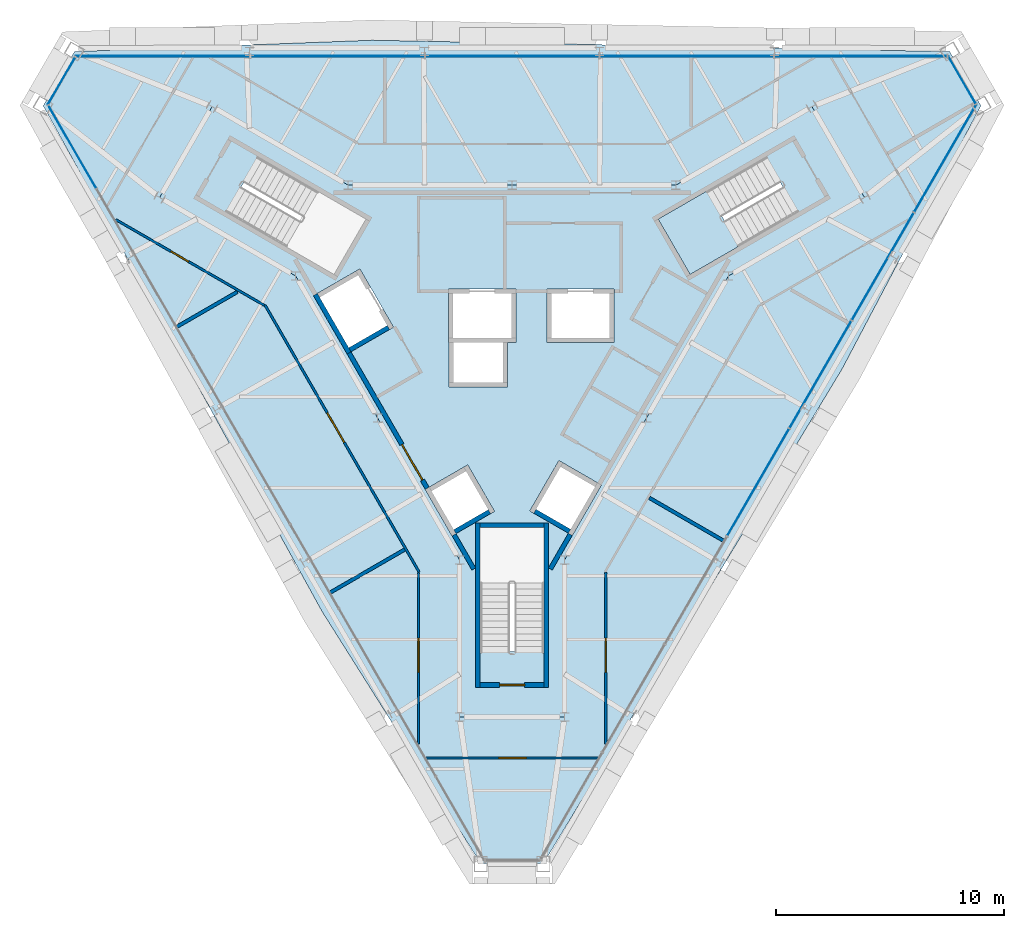
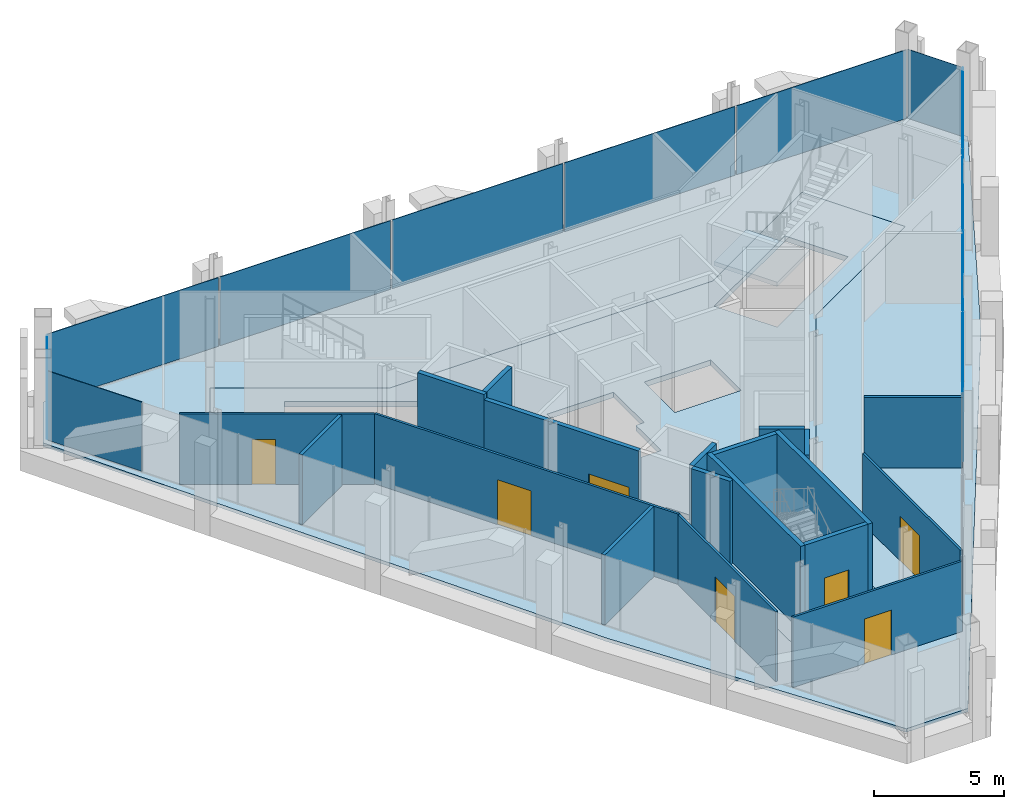
# One storey, part 9 of 13: 19 walls, 12 plates, 7 doors, 3 slabs, 7 openings, 6 elements without a shape of their own.
"""IFC4 building model written with IfcOpenShell, lengths in metres."""

from ifc_helpers import new_model, si_unit, direction, frame, frame_2d, origin, origin_2d, place, context, subcontext, project, spatial, polyline, rectangle, outline, extrude, material, layer, layer_set, type_object, element, fill, aggregate, save


model = new_model("IFC4")

# Units and contexts
model_context = context("Model", 3, precision=1e-05, world=origin(), true_north=direction((0.0, 1.0)))
body_context = subcontext(model_context, "Body", "Model", "MODEL_VIEW")
ifc_project = project(units=[si_unit("LENGTHUNIT", "METRE"), si_unit("AREAUNIT", "SQUARE_METRE"), si_unit("VOLUMEUNIT", "CUBIC_METRE"), si_unit("PLANEANGLEUNIT", "RADIAN"), si_unit("MASSUNIT", "GRAM", prefix="KILO")], contexts=[model_context])

# Site, building, storey
site_placement = place(None, origin())
site = spatial("IfcSite", under=ifc_project, at=site_placement, CompositionType="ELEMENT")
building_placement = place(site_placement, origin())
building = spatial("IfcBuilding", under=site, at=building_placement, Name="Verrane Prism Tower", CompositionType="ELEMENT")
storey_placement = place(building_placement, frame((0.0, 0.0, 308.39990234375)))
storey = spatial("IfcBuildingStorey", under=building, at=storey_placement, Name="L78", CompositionType="ELEMENT", Elevation=308.39990234375)

# Slabs
ifc_material_1 = material(Name="Concrete C35/45", Category="concrete")
ifc_layer_1 = layer(ifc_material_1, 0.159912109375)
ifc_layer_set_1 = layer_set([ifc_layer_1], Name="Composite floor slab")
slab_type_1 = type_object("IfcSlabType", Name="Composite floor slab", PredefinedType="FLOOR", material=ifc_layer_set_1)
slab_1_placement = place(storey_placement, frame((0.0, 0.0, -0.159912109375)))
element("IfcSlab", 1, at=slab_1_placement, inside=storey, type_object=slab_type_1, Name="Floor slab L78", PredefinedType="FLOOR", context=body_context, shape_type="SweptSolid", body=[
    extrude(outline(polyline([(14.455810546875, -1.26171875), (1.368896484375, -22.9287109375), (-1.368896484375, -22.9287109375), (-8.320556640625, -11.88818359375), (-20.54150390625, 10.27880859375), (-19.17236328125, 12.64990234375), (-6.13525390625, 13.14990234375), (19.17236328125, 12.64990234375), (20.54150390625, 10.27880859375), (14.455810546875, -1.26171875)]), holes=[polyline([(15.43994140625, 6.260009765625), (13.139892578125, 10.239990234375), (7.179931640625, 6.800048828125), (0.0, 6.800048828125), (-7.179931640625, 6.800048828125), (-13.139892578125, 10.239990234375), (-15.43994140625, 6.260009765625), (-9.47998046875, 2.820068359375), (-5.889892578125, -3.39990234375), (-2.300048828125, -9.6201171875), (-2.300048828125, -16.5), (2.300048828125, -16.5), (2.300048828125, -9.6201171875), (5.889892578125, -3.39990234375), (9.47998046875, 2.820068359375), (15.43994140625, 6.260009765625)])]), origin(), (0.0, 0.0, 1.0), 0.159912109375),
])
ifc_material_2 = material(Name="Concrete C40/50", Category="concrete")
ifc_layer_2 = layer(ifc_material_2, 0.25)
ifc_layer_set_2 = layer_set([ifc_layer_2], Name="Core floor slab 250 concrete C40/50")
slab_type_2 = type_object("IfcSlabType", Name="Core floor slab 250 concrete C40/50", PredefinedType="FLOOR", material=ifc_layer_set_2)
slab_2_placement = place(storey_placement, frame((0.0, 0.0, -0.25)))
element("IfcSlab", 2, at=slab_2_placement, inside=storey, type_object=slab_type_2, Name="Core floor L78", PredefinedType="FLOOR", context=body_context, shape_type="SweptSolid", body=[
    extrude(outline(polyline([(9.47998046875, 2.820068359375), (15.43994140625, 6.260009765625), (13.139892578125, 10.239990234375), (7.179931640625, 6.800048828125), (0.0, 6.800048828125), (-7.179931640625, 6.800048828125), (-13.139892578125, 10.239990234375), (-15.43994140625, 6.260009765625), (-9.47998046875, 2.820068359375), (-5.889892578125, -3.39990234375), (-2.300048828125, -9.6201171875), (-2.300048828125, -16.5), (2.300048828125, -16.5), (2.300048828125, -9.6201171875), (5.889892578125, -3.39990234375), (9.47998046875, 2.820068359375)]), holes=[polyline([(-1.39990234375, -8.199951171875), (1.39990234375, -8.199951171875), (1.39990234375, -13.639892578125), (-1.39990234375, -13.639892578125), (-1.39990234375, -8.199951171875)]), polyline([(-0.76708984375, -7.491943359375), (-2.62890625, -8.56689453125), (-3.803955078125, -6.531982421875), (-1.94189453125, -5.45703125), (-0.76708984375, -7.491943359375)]), polyline([(3.9140625, -6.341064453125), (2.638916015625, -8.550048828125), (0.777099609375, -7.47509765625), (2.052001953125, -5.26611328125), (3.9140625, -6.341064453125)]), polyline([(-2.784912109375, -0.10009765625), (-2.784912109375, 2.25), (0.1650390625, 2.25), (0.1650390625, -0.10009765625), (-0.205078125, -0.10009765625), (-0.205078125, -2.050048828125), (-2.7548828125, -2.050048828125), (-2.7548828125, -0.10009765625), (-2.784912109375, -0.10009765625)]), polyline([(4.47509765625, 2.25), (4.47509765625, -0.10009765625), (1.52490234375, -0.10009765625), (1.52490234375, 2.25), (4.47509765625, 2.25)]), polyline([(-8.7041015625, 1.955078125), (-6.66796875, 3.1298828125), (-5.193115234375, 0.574951171875), (-7.22900390625, -0.60009765625), (-8.7041015625, 1.955078125)]), polyline([(-6.40087890625, 5.31201171875), (-7.801025390625, 2.887939453125), (-12.512939453125, 5.60791015625), (-11.113037109375, 8.031982421875), (-6.40087890625, 5.31201171875)]), polyline([(7.801025390625, 2.887939453125), (6.40087890625, 5.31201171875), (11.113037109375, 8.031982421875), (12.512939453125, 5.60791015625), (7.801025390625, 2.887939453125)])]), origin(), (0.0, 0.0, 1.0), 0.25),
])

# Curtain wall, plate
ifc_material_3 = material(Name="Aluminium framed insulated glazing", Category="aluminium")
curtain_wall_type_1 = type_object("IfcCurtainWallType", Name="Curtain wall CW-C 4200 module", PredefinedType="NOTDEFINED", material=ifc_material_3)
curtain_wall_1_placement = place(storey_placement, origin())
curtain_wall_1 = element("IfcCurtainWall", 3, at=curtain_wall_1_placement, inside=storey, type_object=curtain_wall_type_1, Name="Glazed curtain wall north-east corner L78", PredefinedType="NOTDEFINED")
ifc_material_4 = material(Name="Low-iron insulating glass unit", Category="glass")
ifc_layer_3 = layer(ifc_material_4, 0.02392578125)
ifc_layer_set_3 = layer_set([ifc_layer_3], Name="Glazing panel IGU 24")
plate_type_1 = type_object("IfcPlateType", Name="Glazing panel IGU 24", PredefinedType="CURTAIN_PANEL", material=ifc_layer_set_3)
plate_1_placement = place(storey_placement, frame((19.712890625, 11.41015625, 0.050048828125), z_axis=(0.0, 0.0, 1.0), x_axis=(-0.500000941634, 0.866024860131, 0.0)))
plate_1 = element("IfcPlate", 4, at=plate_1_placement, type_object=plate_type_1, Name="CW78.1 panel 1", PredefinedType="CURTAIN_PANEL", context=body_context, shape_type="SweptSolid", body=[
    extrude(rectangle(XDim=2.395263671875, YDim=0.02392578125, at=origin_2d()), origin(), (0.0, 0.0, 1.0), 3.24658203125),
])
aggregate(curtain_wall_1, [plate_1])

curtain_wall_2_placement = place(storey_placement, origin())
curtain_wall_2 = element("IfcCurtainWall", 5, at=curtain_wall_2_placement, inside=storey, type_object=curtain_wall_type_1, Name="Glazed curtain wall south-west face L78", PredefinedType="NOTDEFINED")
plate_2_placement = place(storey_placement, frame((-19.2685546875, 8.4794921875, 0.050048828125), z_axis=(0.0, 0.0, 1.0), x_axis=(0.500000216749, -0.866025278644, 0.0)))
plate_2 = element("IfcPlate", 6, at=plate_2_placement, type_object=plate_type_1, Name="CW78.4 panel 1", PredefinedType="CURTAIN_PANEL", context=body_context, shape_type="SweptSolid", body=[
    extrude(rectangle(XDim=4.172607421875, YDim=0.02392578125, at=origin_2d()), origin(), (0.0, 0.0, 1.0), 3.24658203125),
])
aggregate(curtain_wall_2, [plate_2])

ifc_material_5 = material(Name="Aluminium framed insulated glazing", Category="aluminium")
curtain_wall_type_2 = type_object("IfcCurtainWallType", Name="Curtain wall CW-B 5600 module", PredefinedType="NOTDEFINED", material=ifc_material_5)
curtain_wall_3_placement = place(storey_placement, origin())
curtain_wall_3 = element("IfcCurtainWall", 7, at=curtain_wall_3_placement, inside=storey, type_object=curtain_wall_type_2, Name="Glazed curtain wall north-west corner L78", PredefinedType="NOTDEFINED")
ifc_material_6 = material(Name="Low-iron insulating glass unit", Category="glass")
ifc_layer_4 = layer(ifc_material_6, 0.028076171875)
ifc_layer_set_4 = layer_set([ifc_layer_4], Name="Glazing panel IGU 28")
plate_type_2 = type_object("IfcPlateType", Name="Glazing panel IGU 28", PredefinedType="CURTAIN_PANEL", material=ifc_layer_set_4)
plate_3_placement = place(storey_placement, frame((-19.740234375, 11.3623046875, 0.06005859375), z_axis=(0.0, 0.0, 1.0), x_axis=(-0.500000941634, -0.866024860131, 0.0)))
plate_3 = element("IfcPlate", 8, at=plate_3_placement, type_object=plate_type_2, Name="CW78.3 panel 1", PredefinedType="CURTAIN_PANEL", context=body_context, shape_type="SweptSolid", body=[
    extrude(rectangle(XDim=2.38525390625, YDim=0.028076171875, at=origin_2d()), origin(), (0.0, 0.0, 1.0), 3.23681640625),
])
aggregate(curtain_wall_3, [plate_3])

# Curtain wall, plates
curtain_wall_4_placement = place(storey_placement, origin())
curtain_wall_4 = element("IfcCurtainWall", 9, at=curtain_wall_4_placement, inside=storey, type_object=curtain_wall_type_2, Name="Glazed curtain wall south-east face L78", PredefinedType="NOTDEFINED")
plate_4_placement = place(storey_placement, frame((10.779541015625, -6.2236328125, 0.06005859375), z_axis=(0.0, 0.0, 1.0), x_axis=(0.500000216749, 0.866025278644, 0.0)))
plate_4 = element("IfcPlate", 10, at=plate_4_placement, type_object=plate_type_2, Name="CW78.6 panel 4", PredefinedType="CURTAIN_PANEL", context=body_context, shape_type="SweptSolid", body=[
    extrude(rectangle(XDim=5.401123046875, YDim=0.028076171875, at=origin_2d()), origin(), (0.0, 0.0, 1.0), 3.23681640625),
])
plate_5_placement = place(storey_placement, frame((13.51025390625, -1.494140625, 0.06005859375), z_axis=(0.0, 0.0, 1.0), x_axis=(0.500000216749, 0.866025278644, 0.0)))
plate_5 = element("IfcPlate", 11, at=plate_5_placement, type_object=plate_type_2, Name="CW78.6 panel 5", PredefinedType="CURTAIN_PANEL", context=body_context, shape_type="SweptSolid", body=[
    extrude(rectangle(XDim=5.401123046875, YDim=0.028076171875, at=origin_2d()), origin(), (0.0, 0.0, 1.0), 3.23681640625),
])
plate_6_placement = place(storey_placement, frame((16.24072265625, 3.2353515625, 0.06005859375), z_axis=(0.0, 0.0, 1.0), x_axis=(0.500000216749, 0.866025278644, 0.0)))
plate_6 = element("IfcPlate", 12, at=plate_6_placement, type_object=plate_type_2, Name="CW78.6 panel 6", PredefinedType="CURTAIN_PANEL", context=body_context, shape_type="SweptSolid", body=[
    extrude(rectangle(XDim=5.401123046875, YDim=0.028076171875, at=origin_2d()), origin(), (0.0, 0.0, 1.0), 3.23681640625),
])
plate_7_placement = place(storey_placement, frame((18.978759765625, 7.977783203125, 0.06005859375), z_axis=(0.0, 0.0, 1.0), x_axis=(0.500000216749, 0.866025278644, 0.0)))
plate_7 = element("IfcPlate", 13, at=plate_7_placement, type_object=plate_type_2, Name="CW78.6 panel 7", PredefinedType="CURTAIN_PANEL", context=body_context, shape_type="SweptSolid", body=[
    extrude(rectangle(XDim=5.43115234375, YDim=0.028076171875, at=origin_2d()), origin(), (0.0, 0.0, 1.0), 3.23681640625),
])
aggregate(curtain_wall_4, [plate_4, plate_5, plate_6, plate_7])

ifc_material_7 = material(Name="Aluminium framed insulated glazing", Category="aluminium")
curtain_wall_type_3 = type_object("IfcCurtainWallType", Name="Curtain wall CW-A 8400 module", PredefinedType="NOTDEFINED", material=ifc_material_7)
curtain_wall_5_placement = place(storey_placement, origin())
curtain_wall_5 = element("IfcCurtainWall", 14, at=curtain_wall_5_placement, inside=storey, type_object=curtain_wall_type_3, Name="Glazed curtain wall north face L78", PredefinedType="NOTDEFINED")
ifc_material_8 = material(Name="Low-iron insulating glass unit", Category="glass")
ifc_layer_5 = layer(ifc_material_8, 0.031982421875)
ifc_layer_set_5 = layer_set([ifc_layer_5], Name="Glazing panel IGU 32")
plate_type_3 = type_object("IfcPlateType", Name="Glazing panel IGU 32", PredefinedType="CURTAIN_PANEL", material=ifc_layer_set_5)
plate_8_placement = place(storey_placement, frame((15.273681640625, 12.447265625, 0.06982421875), z_axis=(0.0, 0.0, 1.0), x_axis=(-1.0, 0.0, 0.0)))
plate_8 = element("IfcPlate", 15, at=plate_8_placement, type_object=plate_type_3, Name="CW78.2 panel 1", PredefinedType="CURTAIN_PANEL", context=body_context, shape_type="SweptSolid", body=[
    extrude(rectangle(XDim=7.54052734375, YDim=0.031982421875, at=origin_2d()), origin(), (0.0, 0.0, 1.0), 3.226806640625),
])
plate_9_placement = place(storey_placement, frame((7.6455078125, 12.447265625, 0.06982421875), z_axis=(0.0, 0.0, 1.0), x_axis=(-1.0, 0.0, 0.0)))
plate_9 = element("IfcPlate", 16, at=plate_9_placement, type_object=plate_type_3, Name="CW78.2 panel 2", PredefinedType="CURTAIN_PANEL", context=body_context, shape_type="SweptSolid", body=[
    extrude(rectangle(XDim=7.57568359375, YDim=0.031982421875, at=origin_2d()), origin(), (0.0, 0.0, 1.0), 3.226806640625),
])
plate_10_placement = place(storey_placement, frame((0.0, 12.447265625, 0.06982421875), z_axis=(0.0, 0.0, 1.0), x_axis=(-1.0, 0.0, 0.0)))
plate_10 = element("IfcPlate", 17, at=plate_10_placement, type_object=plate_type_3, Name="CW78.2 panel 3", PredefinedType="CURTAIN_PANEL", context=body_context, shape_type="SweptSolid", body=[
    extrude(rectangle(XDim=7.57568359375, YDim=0.031982421875, at=origin_2d()), origin(), (0.0, 0.0, 1.0), 3.226806640625),
])
plate_11_placement = place(storey_placement, frame((-7.6455078125, 12.447265625, 0.06982421875), z_axis=(0.0, 0.0, 1.0), x_axis=(-1.0, 0.0, 0.0)))
plate_11 = element("IfcPlate", 18, at=plate_11_placement, type_object=plate_type_3, Name="CW78.2 panel 4", PredefinedType="CURTAIN_PANEL", context=body_context, shape_type="SweptSolid", body=[
    extrude(rectangle(XDim=7.57568359375, YDim=0.031982421875, at=origin_2d()), origin(), (0.0, 0.0, 1.0), 3.226806640625),
])
plate_12_placement = place(storey_placement, frame((-15.30859375, 12.447265625, 0.06982421875), z_axis=(0.0, 0.0, 1.0), x_axis=(-1.0, 0.0, 0.0)))
plate_12 = element("IfcPlate", 19, at=plate_12_placement, type_object=plate_type_3, Name="CW78.2 panel 5", PredefinedType="CURTAIN_PANEL", context=body_context, shape_type="SweptSolid", body=[
    extrude(rectangle(XDim=7.610595703125, YDim=0.031982421875, at=origin_2d()), origin(), (0.0, 0.0, 1.0), 3.226806640625),
])
aggregate(curtain_wall_5, [plate_8, plate_9, plate_10, plate_11, plate_12])

# Stair, slab
ifc_material_9 = material(Name="Concrete C40/50", Category="concrete")
stair_type = type_object("IfcStairType", Name="Exit stair 1300 dog-leg precast concrete C40/50", PredefinedType="HALF_TURN_STAIR", material=ifc_material_9)
stair_placement = place(storey_placement, origin())
stair = element("IfcStair", 20, at=stair_placement, inside=storey, type_object=stair_type, Name="Stair 1 L78", PredefinedType="HALF_TURN_STAIR")
ifc_material_10 = material(Name="Concrete C40/50", Category="concrete")
ifc_layer_6 = layer(ifc_material_10, 0.199951171875)
ifc_layer_set_6 = layer_set([ifc_layer_6], Name="Stair landing 200 precast concrete C40/50")
slab_type_3 = type_object("IfcSlabType", Name="Stair landing 200 precast concrete C40/50", PredefinedType="LANDING", material=ifc_layer_set_6)
slab_3_placement = place(storey_placement, frame((0.0, 0.0, 1.900146484375)))
slab_3 = element("IfcSlab", 21, at=slab_3_placement, type_object=slab_type_3, Name="Stair 1 landing 1", PredefinedType="LANDING", context=body_context, shape_type="SweptSolid", body=[
    extrude(outline(polyline([(8.549072265625, 6.552490234375), (6.4013671875, 5.3125), (7.801513671875, 2.887451171875), (9.94921875, 4.127685546875), (8.549072265625, 6.552490234375)])), origin(), (0.0, 0.0, 1.0), 0.199951171875),
])
aggregate(stair, [slab_3])

# Wall, opening, door
ifc_material_11 = material(Name="Gypsum board partition", Category="other")
ifc_layer_7 = layer(ifc_material_11, 0.199951171875)
ifc_layer_set_7 = layer_set([ifc_layer_7], Name="CW-200 core boundary wall 2 h")
wall_type_1 = type_object("IfcWallType", Name="CW-200 core boundary wall 2 h", PredefinedType="PARTITIONING", material=ifc_layer_set_7)
wall_1_placement = place(storey_placement, frame((-7.14111328125, -0.551025390625, 0.0), z_axis=(0.0, 0.0, 1.0), x_axis=(0.500001302854, -0.86602465158, 0.0)))
wall_1 = element("IfcWall", 22, at=wall_1_placement, inside=storey, type_object=wall_type_1, Name="Core boundary wall CW3-003", PredefinedType="PARTITIONING", context=body_context, shape_type="SweptSolid", body=[
    extrude(rectangle(XDim=6.84619140625, YDim=0.199951171875, at=frame_2d((3.423095703125, 0.0))), origin(), (0.0, 0.0, 1.0), 3.9501953125),
])
opening_1_placement = place(wall_1_placement, frame((4.633056640625, 0.0, 0.0)))
opening_1 = element("IfcOpeningElement", 23, at=opening_1_placement, cuts=wall_1, Name="Opening D78507", PredefinedType="OPENING", context=body_context, shape_type="SweptSolid", body=[
    extrude(rectangle(XDim=1.800048828125, YDim=2.10009765625, at=frame_2d((0.89990234375, 1.050048828125))), frame((0.0, 0.10986328125, 0.0), z_axis=(0.0, -1.0, 0.0), x_axis=(1.0, 0.0, 0.0)), (0.0, 0.0, 1.0), 0.219970703125),
])
ifc_material_12 = material(Name="Timber veneered door leaf", Category="wood")
door_type_1 = type_object("IfcDoorType", Name="DR-1800x2100 FD60 double leaf lift lobby", OperationType="NOTDEFINED", PredefinedType="DOOR", material=ifc_material_12)
door_1_placement = place(opening_1_placement, origin())
door_1 = element("IfcDoor", 24, at=door_1_placement, inside=storey, type_object=door_type_1, Name="Lift lobby door D78507", OperationType="DOUBLE_DOOR_SINGLE_SWING", OverallHeight=2.10009765625, OverallWidth=1.800048828125, PredefinedType="DOOR", context=body_context, shape_type="SweptSolid", body=[
    extrude(rectangle(XDim=1.800048828125, YDim=2.10009765625, at=frame_2d((0.89990234375, 1.050048828125))), frame((0.0, 0.02490234375, 0.0), z_axis=(0.0, -1.0, 0.0), x_axis=(1.0, 0.0, 0.0)), (0.0, 0.0, 1.0), 0.050048828125),
])
fill(opening_1, door_1)

# Walls
wall_2_placement = place(storey_placement, frame((-2.541015625, -8.51904296875, 0.0), z_axis=(0.0, 0.0, 1.0), x_axis=(0.500016142392, -0.86601608377, 0.0)))
element("IfcWall", 25, at=wall_2_placement, inside=storey, type_object=wall_type_1, Name="Core boundary wall CW3-004", PredefinedType="PARTITIONING", context=body_context, shape_type="SweptSolid", body=[
    extrude(rectangle(XDim=1.72705078125, YDim=0.199951171875, at=frame_2d((0.863525390625, 0.0))), origin(), (0.0, 0.0, 1.0), 3.9501953125),
])
wall_3_placement = place(storey_placement, frame((1.677490234375, -10.0146484375, 0.0), z_axis=(0.0, 0.0, 1.0), x_axis=(0.49983532306, 0.866120459187, 0.0)))
element("IfcWall", 26, at=wall_3_placement, inside=storey, type_object=wall_type_1, Name="Core boundary wall CW3-005", PredefinedType="PARTITIONING", context=body_context, shape_type="SweptSolid", body=[
    extrude(rectangle(XDim=1.74755859375, YDim=0.199951171875, at=frame_2d((0.873779296875, 0.0))), origin(), (0.0, 0.0, 1.0), 3.9501953125),
])

# Wall, opening, door
ifc_material_13 = material(Name="Concrete C40/50", Category="concrete")
ifc_layer_8 = layer(ifc_material_13, 0.199951171875)
ifc_layer_set_8 = layer_set([ifc_layer_8], Name="CW-200 stair core wall concrete C40/50 3 h")
wall_type_2 = type_object("IfcWallType", Name="CW-200 stair core wall concrete C40/50 3 h", PredefinedType="PARTITIONING", material=ifc_layer_set_8)
wall_4_placement = place(storey_placement, frame((-1.39990234375, -15.10009765625, 0.0), z_axis=(0.0, 0.0, 1.0), x_axis=(1.0, 0.0, 0.0)))
wall_4 = element("IfcWall", 27, at=wall_4_placement, inside=storey, type_object=wall_type_2, Name="Stair 3 enclosure wall", PredefinedType="PARTITIONING", context=body_context, shape_type="SweptSolid", body=[
    extrude(rectangle(XDim=2.7998046875, YDim=0.199951171875, at=frame_2d((1.39990234375, 0.0))), origin(), (0.0, 0.0, 1.0), 3.9501953125),
])
opening_2_placement = place(wall_4_placement, frame((0.85009765625, 0.0, 0.0)))
opening_2 = element("IfcOpeningElement", 28, at=opening_2_placement, cuts=wall_4, Name="Opening D78502", PredefinedType="OPENING", context=body_context, shape_type="SweptSolid", body=[
    extrude(rectangle(XDim=1.10009765625, YDim=2.10009765625, at=frame_2d((0.550048828125, 1.050048828125))), frame((0.0, 0.10986328125, 0.0), z_axis=(0.0, -1.0, 0.0), x_axis=(1.0, 0.0, 0.0)), (0.0, 0.0, 1.0), 0.219970703125),
])
ifc_material_14 = material(Name="Timber veneered door leaf", Category="wood")
door_type_2 = type_object("IfcDoorType", Name="DR-1100x2100 FD90 single leaf stair", OperationType="NOTDEFINED", PredefinedType="DOOR", material=ifc_material_14)
door_2_placement = place(opening_2_placement, origin())
door_2 = element("IfcDoor", 29, at=door_2_placement, inside=storey, type_object=door_type_2, Name="Stair 3 door", OperationType="SINGLE_SWING_LEFT", OverallHeight=2.10009765625, OverallWidth=1.10009765625, PredefinedType="DOOR", context=body_context, shape_type="SweptSolid", body=[
    extrude(rectangle(XDim=1.10009765625, YDim=2.10009765625, at=frame_2d((0.550048828125, 1.050048828125))), frame((0.0, 0.02490234375, 0.0), z_axis=(0.0, -1.0, 0.0), x_axis=(1.0, 0.0, 0.0)), (0.0, 0.0, 1.0), 0.050048828125),
])
fill(opening_2, door_2)

# Walls
for number, where, z_axis, x_axis, name in (
    (30, (1.5, -8.0, 0.0), (0.0, 0.0, 1.0), (0.0, -1.0, 0.0), "Stair 3 enclosure wall"),
    (31, (-1.5, -8.0, 0.0), (0.0, 0.0, 1.0), (0.0, -1.0, 0.0), "Stair 3 enclosure wall"),
):
    element("IfcWall", number, at=place(storey_placement, frame(where, z_axis=z_axis, x_axis=x_axis)), inside=storey, type_object=wall_type_2, Name=name, PredefinedType="PARTITIONING", context=body_context, shape_type="SweptSolid", body=[
        extrude(rectangle(XDim=7.199951171875, YDim=0.199951171875, at=frame_2d((3.60009765625, 0.0))), origin(), (0.0, 0.0, 1.0), 3.9501953125),
    ])
wall_5_placement = place(storey_placement, frame((-1.39990234375, -8.10009765625, 0.0), z_axis=(0.0, 0.0, 1.0), x_axis=(1.0, 0.0, 0.0)))
element("IfcWall", 32, at=wall_5_placement, inside=storey, type_object=wall_type_2, Name="Stair 3 enclosure wall", PredefinedType="PARTITIONING", context=body_context, shape_type="SweptSolid", body=[
    extrude(rectangle(XDim=2.7998046875, YDim=0.199951171875, at=frame_2d((1.39990234375, 0.0))), origin(), (0.0, 0.0, 1.0), 3.9501953125),
])
ifc_material_15 = material(Name="Gypsum board shaft wall assembly", Category="other")
ifc_layer_9 = layer(ifc_material_15, 0.199951171875)
ifc_layer_set_9 = layer_set([ifc_layer_9], Name="HW-200 lift shaft wall 2 h")
wall_type_3 = type_object("IfcWallType", Name="HW-200 lift shaft wall 2 h", PredefinedType="PARTITIONING", material=ifc_layer_set_9)
wall_6_placement = place(storey_placement, frame((-2.50537109375, -8.38037109375, 0.0), z_axis=(0.0, 0.0, 1.0), x_axis=(0.866002029911, 0.500040482552, 0.0)))
element("IfcWall", 33, at=wall_6_placement, inside=storey, type_object=wall_type_3, Name="Lift shaft wall", PredefinedType="PARTITIONING", context=body_context, shape_type="SweptSolid", body=[
    extrude(rectangle(XDim=1.749755859375, YDim=0.199951171875, at=frame_2d((0.875, 0.0))), origin(), (0.0, 0.0, 1.0), 3.9501953125),
])
wall_7_placement = place(storey_placement, frame((-7.10546875, -0.4130859375, 0.0), z_axis=(0.0, 0.0, 1.0), x_axis=(0.866000020948, 0.500043961785, 0.0)))
element("IfcWall", 34, at=wall_7_placement, inside=storey, type_object=wall_type_3, Name="Lift shaft wall", PredefinedType="PARTITIONING", context=body_context, shape_type="SweptSolid", body=[
    extrude(rectangle(XDim=1.949951171875, YDim=0.199951171875, at=frame_2d((0.97509765625, 0.0))), origin(), (0.0, 0.0, 1.0), 4.2001953125),
])
wall_8_placement = place(storey_placement, frame((-7.14208984375, -0.549560546875, 0.0), z_axis=(0.0, 0.0, 1.0), x_axis=(-0.49997559174, 0.866039495442, 0.0)))
element("IfcWall", 35, at=wall_8_placement, inside=storey, type_object=wall_type_3, Name="Lift shaft wall", PredefinedType="PARTITIONING", context=body_context, shape_type="SweptSolid", body=[
    extrude(rectangle(XDim=2.949951171875, YDim=0.199951171875, at=frame_2d((1.47509765625, 0.0))), origin(), (0.0, 0.0, 1.0), 4.2001953125),
])
wall_9_placement = place(storey_placement, frame((2.515380859375, -8.36328125, 0.0), z_axis=(0.0, 0.0, 1.0), x_axis=(-0.866036909293, 0.499980071345, 0.0)))
element("IfcWall", 36, at=wall_9_placement, inside=storey, type_object=wall_type_3, Name="Lift shaft wall", PredefinedType="PARTITIONING", context=body_context, shape_type="SweptSolid", body=[
    extrude(rectangle(XDim=1.75, YDim=0.199951171875, at=frame_2d((0.875, 0.0))), origin(), (0.0, 0.0, 1.0), 3.9501953125),
])

# Wall, opening, door
ifc_material_16 = material(Name="Gypsum board partition", Category="other")
ifc_layer_10 = layer(ifc_material_16, 0.10009765625)
ifc_layer_set_10 = layer_set([ifc_layer_10], Name="PW-100 crown corridor wall 1 h")
wall_type_4 = type_object("IfcWallType", Name="PW-100 crown corridor wall 1 h", PredefinedType="PARTITIONING", material=ifc_layer_set_10)
wall_10_placement = place(storey_placement, frame((-10.858642578125, 1.537109375, 0.0), z_axis=(0.0, 0.0, 1.0), x_axis=(-0.866105995393, 0.499860385252, 0.0)))
wall_10 = element("IfcWall", 37, at=wall_10_placement, inside=storey, type_object=wall_type_4, Name="Corridor wall 002", PredefinedType="PARTITIONING", context=body_context, shape_type="SweptSolid", body=[
    extrude(rectangle(XDim=7.508056640625, YDim=0.10009765625, at=frame_2d((3.75390625, 0.0))), origin(), (0.0, 0.0, 1.0), 3.297119140625),
])
opening_3_placement = place(wall_10_placement, frame((3.82177734375, 0.0, 0.0)))
opening_3 = element("IfcOpeningElement", 38, at=opening_3_placement, cuts=wall_10, Name="Opening D78011", PredefinedType="OPENING", context=body_context, shape_type="SweptSolid", body=[
    extrude(rectangle(XDim=0.89990234375, YDim=2.10009765625, at=frame_2d((0.449951171875, 1.050048828125))), frame((0.0, 0.06005859375, 0.0), z_axis=(0.0, -1.0, 0.0), x_axis=(1.0, 0.0, 0.0)), (0.0, 0.0, 1.0), 0.1201171875),
])
ifc_material_17 = material(Name="Timber veneered door leaf", Category="wood")
door_type_3 = type_object("IfcDoorType", Name="DR-900x2100 FD20 single leaf service", OperationType="NOTDEFINED", PredefinedType="DOOR", material=ifc_material_17)
door_3_placement = place(opening_3_placement, origin())
door_3 = element("IfcDoor", 39, at=door_3_placement, inside=storey, type_object=door_type_3, Name="Linen Store door", OperationType="SINGLE_SWING_RIGHT", OverallHeight=2.10009765625, OverallWidth=0.89990234375, PredefinedType="DOOR", context=body_context, shape_type="SweptSolid", body=[
    extrude(rectangle(XDim=0.89990234375, YDim=2.10009765625, at=frame_2d((0.449951171875, 1.050048828125))), frame((0.0, 0.02490234375, 0.0), z_axis=(0.0, -1.0, 0.0), x_axis=(1.0, 0.0, 0.0)), (0.0, 0.0, 1.0), 0.050048828125),
])
fill(opening_3, door_3)

wall_11_placement = place(storey_placement, frame((-4.074951171875, -10.145263671875, 0.0), z_axis=(0.0, 0.0, 1.0), x_axis=(-0.499912942625, 0.866075660549, 0.0)))
wall_11 = element("IfcWall", 40, at=wall_11_placement, inside=storey, type_object=wall_type_4, Name="Corridor wall 005", PredefinedType="PARTITIONING", context=body_context, shape_type="SweptSolid", body=[
    extrude(rectangle(XDim=13.49853515625, YDim=0.10009765625, at=frame_2d((6.749267578125, 0.0))), origin(), (0.0, 0.0, 1.0), 3.297119140625),
])
opening_4_placement = place(wall_11_placement, frame((6.54833984375, 0.0, 0.0)))
opening_4 = element("IfcOpeningElement", 41, at=opening_4_placement, cuts=wall_11, Name="Opening D78005", PredefinedType="OPENING", context=body_context, shape_type="SweptSolid", body=[
    extrude(rectangle(XDim=1.5, YDim=2.10009765625, at=frame_2d((0.75, 1.050048828125))), frame((0.0, 0.06005859375, 0.0), z_axis=(0.0, -1.0, 0.0), x_axis=(1.0, 0.0, 0.0)), (0.0, 0.0, 1.0), 0.1201171875),
])
ifc_material_18 = material(Name="Timber veneered door leaf", Category="wood")
door_type_4 = type_object("IfcDoorType", Name="DR-1500x2100 FD60 double leaf unit", OperationType="NOTDEFINED", PredefinedType="DOOR", material=ifc_material_18)
door_4_placement = place(opening_4_placement, origin())
door_4 = element("IfcDoor", 42, at=door_4_placement, inside=storey, type_object=door_type_4, Name="Mechanical Plant Room door", OperationType="DOUBLE_DOOR_SINGLE_SWING", OverallHeight=2.10009765625, OverallWidth=1.5, PredefinedType="DOOR", context=body_context, shape_type="SweptSolid", body=[
    extrude(rectangle(XDim=1.5, YDim=2.10009765625, at=frame_2d((0.75, 1.050048828125))), frame((0.0, 0.02490234375, 0.0), z_axis=(0.0, -1.0, 0.0), x_axis=(1.0, 0.0, 0.0)), (0.0, 0.0, 1.0), 0.050048828125),
])
fill(opening_4, door_4)

wall_12_placement = place(storey_placement, frame((-4.10009765625, -17.679931640625, 0.0), z_axis=(0.0, 0.0, 1.0), x_axis=(0.0, 1.0, 0.0)))
wall_12 = element("IfcWall", 43, at=wall_12_placement, inside=storey, type_object=wall_type_4, Name="Corridor wall 009", PredefinedType="PARTITIONING", context=body_context, shape_type="SweptSolid", body=[
    extrude(rectangle(XDim=7.5078125, YDim=0.10009765625, at=frame_2d((3.75390625, 0.0))), origin(), (0.0, 0.0, 1.0), 3.297119140625),
])
opening_5_placement = place(wall_12_placement, frame((3.136962890625, 0.0, 0.0)))
opening_5 = element("IfcOpeningElement", 44, at=opening_5_placement, cuts=wall_12, Name="Opening D78006", PredefinedType="OPENING", context=body_context, shape_type="SweptSolid", body=[
    extrude(rectangle(XDim=1.5, YDim=2.10009765625, at=frame_2d((0.75, 1.050048828125))), frame((0.0, 0.06005859375, 0.0), z_axis=(0.0, -1.0, 0.0), x_axis=(1.0, 0.0, 0.0)), (0.0, 0.0, 1.0), 0.1201171875),
])
door_5_placement = place(opening_5_placement, origin())
door_5 = element("IfcDoor", 45, at=door_5_placement, inside=storey, type_object=door_type_4, Name="Mechanical Plant Room door", OperationType="DOUBLE_DOOR_SINGLE_SWING", OverallHeight=2.10009765625, OverallWidth=1.5, PredefinedType="DOOR", context=body_context, shape_type="SweptSolid", body=[
    extrude(rectangle(XDim=1.5, YDim=2.10009765625, at=frame_2d((0.75, 1.050048828125))), frame((0.0, 0.02490234375, 0.0), z_axis=(0.0, -1.0, 0.0), x_axis=(1.0, 0.0, 0.0)), (0.0, 0.0, 1.0), 0.050048828125),
])
fill(opening_5, door_5)

wall_13_placement = place(storey_placement, frame((3.762939453125, -18.300048828125, 0.0), z_axis=(0.0, 0.0, 1.0), x_axis=(-1.0, 0.0, 0.0)))
wall_13 = element("IfcWall", 46, at=wall_13_placement, inside=storey, type_object=wall_type_4, Name="Corridor wall 010", PredefinedType="PARTITIONING", context=body_context, shape_type="SweptSolid", body=[
    extrude(rectangle(XDim=7.52587890625, YDim=0.10009765625, at=frame_2d((3.762939453125, 0.0))), origin(), (0.0, 0.0, 1.0), 3.297119140625),
])
opening_6_placement = place(wall_13_placement, frame((3.146728515625, 0.0, 0.0)))
opening_6 = element("IfcOpeningElement", 47, at=opening_6_placement, cuts=wall_13, Name="Opening D78007", PredefinedType="OPENING", context=body_context, shape_type="SweptSolid", body=[
    extrude(rectangle(XDim=1.199951171875, YDim=2.10009765625, at=frame_2d((0.60009765625, 1.050048828125))), frame((0.0, 0.06005859375, 0.0), z_axis=(0.0, -1.0, 0.0), x_axis=(1.0, 0.0, 0.0)), (0.0, 0.0, 1.0), 0.1201171875),
])
ifc_material_19 = material(Name="Timber veneered door leaf", Category="wood")
door_type_5 = type_object("IfcDoorType", Name="DR-1200x2100 FD60 single leaf unit", OperationType="NOTDEFINED", PredefinedType="DOOR", material=ifc_material_19)
door_6_placement = place(opening_6_placement, origin())
door_6 = element("IfcDoor", 48, at=door_6_placement, inside=storey, type_object=door_type_5, Name="Electrical Switch Room door", OperationType="SINGLE_SWING_RIGHT", OverallHeight=2.10009765625, OverallWidth=1.199951171875, PredefinedType="DOOR", context=body_context, shape_type="SweptSolid", body=[
    extrude(rectangle(XDim=1.199951171875, YDim=2.10009765625, at=frame_2d((0.60009765625, 1.050048828125))), frame((0.0, 0.02490234375, 0.0), z_axis=(0.0, -1.0, 0.0), x_axis=(1.0, 0.0, 0.0)), (0.0, 0.0, 1.0), 0.050048828125),
])
fill(opening_6, door_6)

wall_14_placement = place(storey_placement, frame((4.10009765625, -10.172119140625, 0.0), z_axis=(0.0, 0.0, 1.0), x_axis=(0.0, -1.0, 0.0)))
wall_14 = element("IfcWall", 49, at=wall_14_placement, inside=storey, type_object=wall_type_4, Name="Corridor wall 011", PredefinedType="PARTITIONING", context=body_context, shape_type="SweptSolid", body=[
    extrude(rectangle(XDim=7.5078125, YDim=0.10009765625, at=frame_2d((3.75390625, 0.0))), origin(), (0.0, 0.0, 1.0), 3.297119140625),
])
opening_7_placement = place(wall_14_placement, frame((2.87109375, 0.0, 0.0)))
opening_7 = element("IfcOpeningElement", 50, at=opening_7_placement, cuts=wall_14, Name="Opening D78008", PredefinedType="OPENING", context=body_context, shape_type="SweptSolid", body=[
    extrude(rectangle(XDim=1.5, YDim=2.10009765625, at=frame_2d((0.75, 1.050048828125))), frame((0.0, 0.06005859375, 0.0), z_axis=(0.0, -1.0, 0.0), x_axis=(1.0, 0.0, 0.0)), (0.0, 0.0, 1.0), 0.1201171875),
])
door_7_placement = place(opening_7_placement, origin())
door_7 = element("IfcDoor", 51, at=door_7_placement, inside=storey, type_object=door_type_4, Name="Mechanical Plant Room door", OperationType="DOUBLE_DOOR_SINGLE_SWING", OverallHeight=2.10009765625, OverallWidth=1.5, PredefinedType="DOOR", context=body_context, shape_type="SweptSolid", body=[
    extrude(rectangle(XDim=1.5, YDim=2.10009765625, at=frame_2d((0.75, 1.050048828125))), frame((0.0, 0.02490234375, 0.0), z_axis=(0.0, -1.0, 0.0), x_axis=(1.0, 0.0, 0.0)), (0.0, 0.0, 1.0), 0.050048828125),
])
fill(opening_7, door_7)

# Walls
ifc_material_20 = material(Name="Gypsum board partition", Category="other")
ifc_layer_11 = layer(ifc_material_20, 0.14990234375)
ifc_layer_set_11 = layer_set([ifc_layer_11], Name="PW-150 demising wall 1 h")
wall_type_5 = type_object("IfcWallType", Name="PW-150 demising wall 1 h", PredefinedType="PARTITIONING", material=ifc_layer_set_11)
wall_15_placement = place(storey_placement, frame((-14.69580078125, 0.588134765625, 0.0), z_axis=(0.0, 0.0, 1.0), x_axis=(0.866116586143, 0.499842034255, 0.0)))
element("IfcWall", 52, at=wall_15_placement, inside=storey, type_object=wall_type_5, Name="Demising wall 003", PredefinedType="PARTITIONING", context=body_context, shape_type="SweptSolid", body=[
    extrude(rectangle(XDim=3.0634765625, YDim=0.14990234375, at=frame_2d((1.53173828125, 0.0))), origin(), (0.0, 0.0, 1.0), 3.297119140625),
])
wall_16_placement = place(storey_placement, frame((-7.974609375, -11.053955078125, 0.0), z_axis=(0.0, 0.0, 1.0), x_axis=(0.865981276422, 0.500076423046, 0.0)))
element("IfcWall", 53, at=wall_16_placement, inside=storey, type_object=wall_type_5, Name="Demising wall 006", PredefinedType="PARTITIONING", context=body_context, shape_type="SweptSolid", body=[
    extrude(rectangle(XDim=3.78125, YDim=0.14990234375, at=frame_2d((1.890625, 0.0))), origin(), (0.0, 0.0, 1.0), 3.297119140625),
])
wall_17_placement = place(storey_placement, frame((6.01171875, -6.8994140625, 0.0), z_axis=(0.0, 0.0, 1.0), x_axis=(0.866034889475, -0.499983569942, 0.0)))
element("IfcWall", 54, at=wall_17_placement, inside=storey, type_object=wall_type_5, Name="Demising wall 013", PredefinedType="PARTITIONING", context=body_context, shape_type="SweptSolid", body=[
    extrude(rectangle(XDim=3.777099609375, YDim=0.14990234375, at=frame_2d((1.888671875, 0.0))), origin(), (0.0, 0.0, 1.0), 3.297119140625),
])

save(model, "model.ifc")
